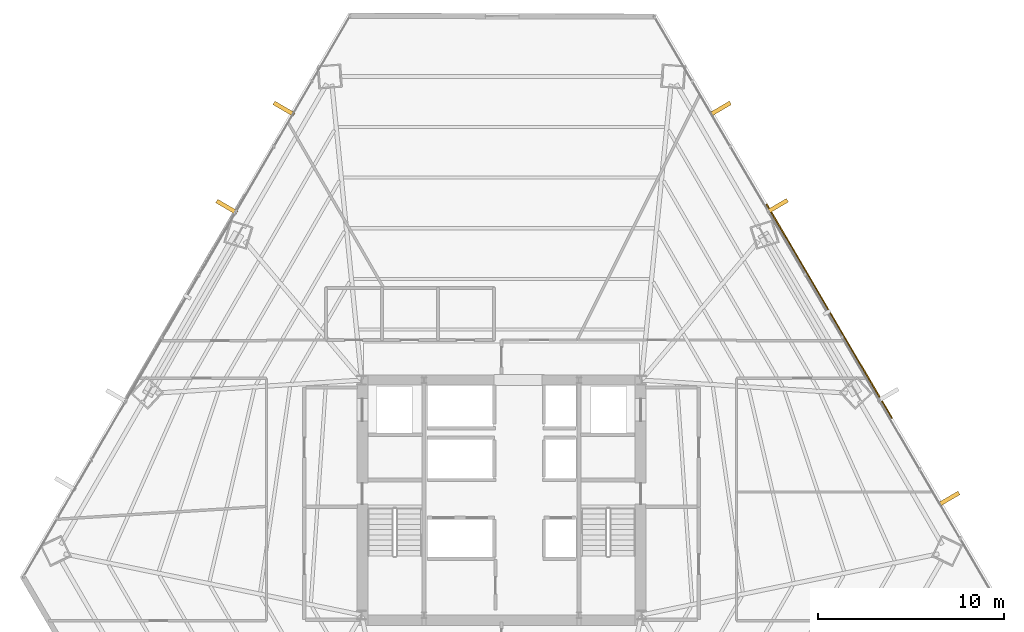
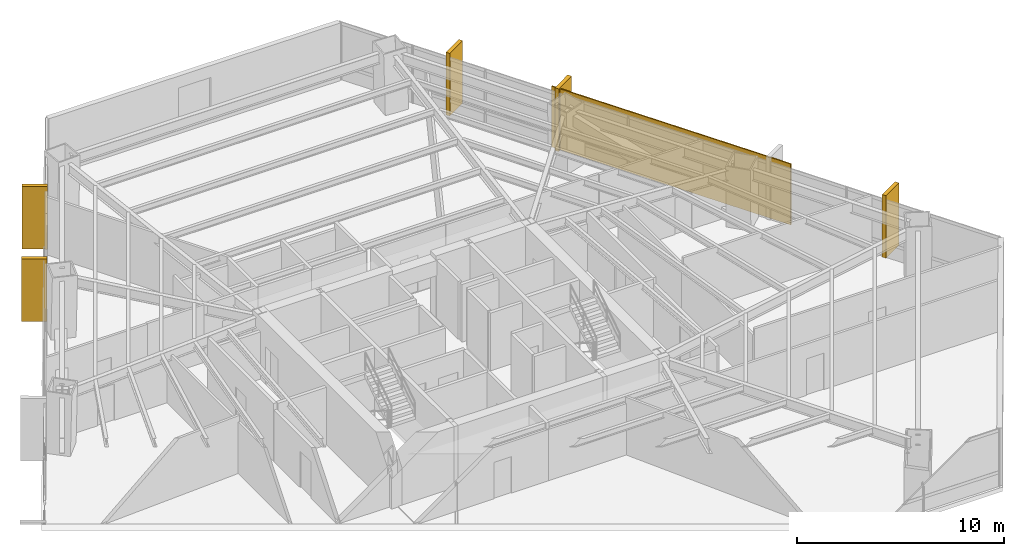
# One storey, part 29 of 29: 5 coverings, 1 shading device.
"""IFC4 building model written with IfcOpenShell, lengths in metres."""

from ifc_helpers import new_model, si_unit, direction, frame, origin, origin_2d, place, context, subcontext, project, spatial, rectangle, extrude, source, transform, mapped, material, layer, layer_set, type_object, type_shapes, element, save


model = new_model("IFC4")

# Units and contexts
model_context = context("Model", 3, precision=1e-05, world=origin(), true_north=direction((0.0, 1.0)))
body_context = subcontext(model_context, "Body", "Model", "MODEL_VIEW")
ifc_project = project(units=[si_unit("LENGTHUNIT", "METRE"), si_unit("AREAUNIT", "SQUARE_METRE"), si_unit("VOLUMEUNIT", "CUBIC_METRE"), si_unit("PLANEANGLEUNIT", "RADIAN"), si_unit("MASSUNIT", "GRAM", prefix="KILO")], contexts=[model_context])

# Site, building, storey
site_placement = place(None, origin())
site = spatial("IfcSite", under=ifc_project, at=site_placement, CompositionType="ELEMENT")
building_placement = place(site_placement, origin())
building = spatial("IfcBuilding", under=site, at=building_placement, Name="Caelisora Broadcast Tower", CompositionType="ELEMENT")
storey_placement = place(building_placement, frame((0.0, 0.0, 31.25)))
storey = spatial("IfcBuildingStorey", under=building, at=storey_placement, Name="L07", CompositionType="ELEMENT", Elevation=31.25)

# Coverings
ifc_material_1 = material(Name="Kiln-Fired Terracotta Spandrel Rainscreen Cladding", Category="ceramic")
ifc_layer_1 = layer(ifc_material_1, 0.044921875, Name="Kiln-Fired Terracotta Spandrel Rainscreen Cladding")
ifc_layer_set_1 = layer_set([ifc_layer_1], Name="Kiln-Fired Terracotta Spandrel Rainscreen Cladding")
covering_type = type_object("IfcCoveringType", Name="CL-1", PredefinedType="CLADDING", material=ifc_layer_set_1)
shared_shape_1 = source(origin(), body_context, "Body", "SweptSolid", [
    extrude(rectangle(XDim=0.219970703125, YDim=1.25, at=origin_2d()), origin(), (0.0, 0.0, 1.0), 3.68994140625),
])
type_shapes(covering_type, [shared_shape_1])
for number, where, z_axis, x_axis, name in (
    (1, (49.735595703125, 44.55126953125, -0.02001953125), (0.0, 0.0, 1.0), (0.505582083675, -0.862778509623, 0.0), "L07 vertical solar fin cladding #1-1"),
    (2, (52.7958984375, 39.329345703125, -0.02001953125), (0.0, 0.0, 1.0), (0.505582083675, -0.862778509623, 0.0), "L07 vertical solar fin cladding #1-2"),
    (3, (61.992919921875, 23.636474609375, -0.02001953125), (0.0, 0.0, 1.0), (0.505582083675, -0.862778509623, 0.0), "L07 vertical solar fin cladding #1-4"),
    (4, (23.270263671875, 39.28662109375, -0.02001953125), (0.0, 0.0, 1.0), (0.503321604797, 0.864099162217, 0.0), "L07 vertical solar fin cladding #3-3"),
    (5, (26.336669921875, 44.5517578125, -0.02001953125), (0.0, 0.0, 1.0), (0.503321604797, 0.864099162217, 0.0), "L07 vertical solar fin cladding #3-4"),
):
    element("IfcCovering", number, at=place(storey_placement, frame(where, z_axis=z_axis, x_axis=x_axis)), inside=storey, type_object=covering_type, Name=name, PredefinedType="CLADDING", context=body_context, shape_type="MappedRepresentation", body=[
        mapped(shared_shape_1, transform((0.0, 0.0, 0.0), scale=1.0)),
    ])

# Shading device
ifc_material_2 = material(Name="Perforated Glazed Terracotta Baguette Solar Screen", Category="ceramic")
ifc_layer_2 = layer(ifc_material_2, 0.06494140625, Name="Perforated Glazed Terracotta Baguette Solar Screen")
ifc_layer_set_2 = layer_set([ifc_layer_2], Name="Perforated Glazed Terracotta Baguette Solar Screen")
shading_device_type = type_object("IfcShadingDeviceType", Name="SS-1", PredefinedType="USERDEFINED", material=ifc_layer_set_2)
shared_shape_2 = source(origin(), body_context, "Body", "SweptSolid", [
    extrude(rectangle(XDim=13.291015625, YDim=0.06494140625, at=origin_2d()), origin(), (0.0, 0.0, 1.0), 3.590087890625),
])
type_shapes(shading_device_type, [shared_shape_2])
shading_device_placement = place(storey_placement, frame((55.577392578125, 33.693359375, 0.0), z_axis=(0.0, 0.0, 1.0), x_axis=(-0.505582083675, 0.862778509623, 0.0)))
element("IfcShadingDevice", 6, at=shading_device_placement, inside=storey, type_object=shading_device_type, Name="L07 perforated terracotta solar screen #3", ObjectType="SOLAR SCREEN", PredefinedType="USERDEFINED", context=body_context, shape_type="MappedRepresentation", body=[
    mapped(shared_shape_2, transform((0.0, 0.0, 0.0), scale=1.0)),
])

save(model, "model.ifc")
